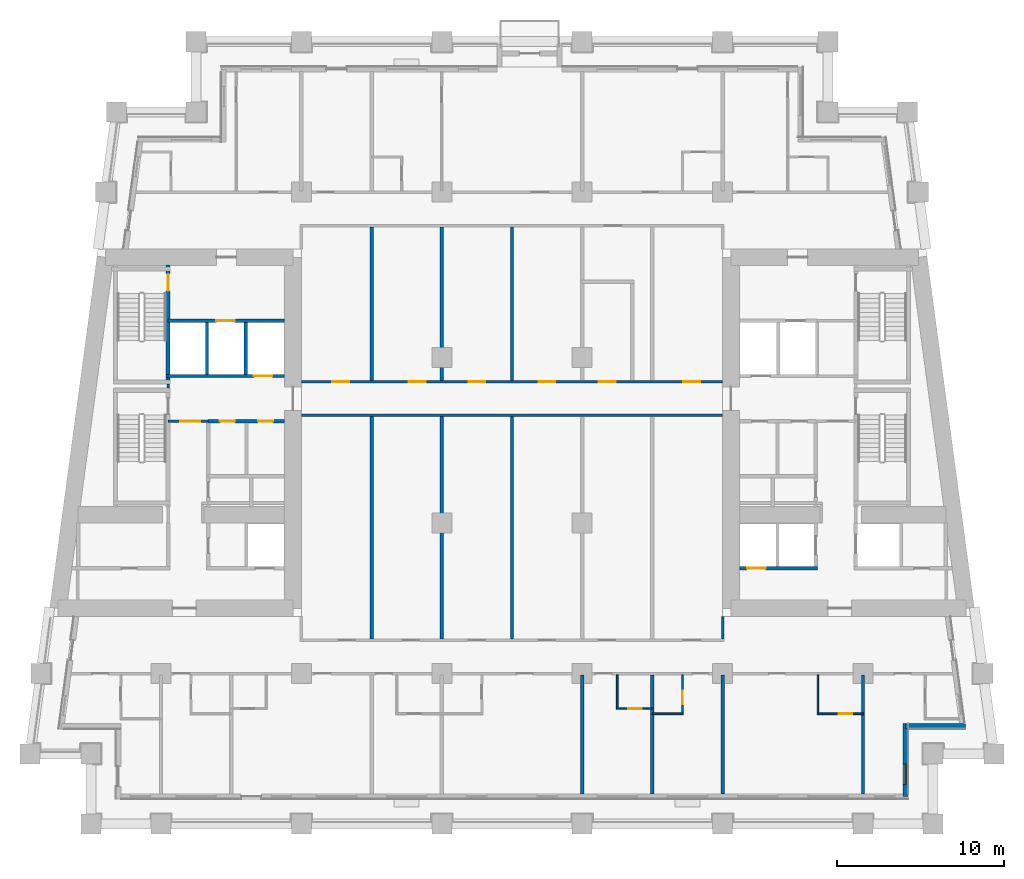
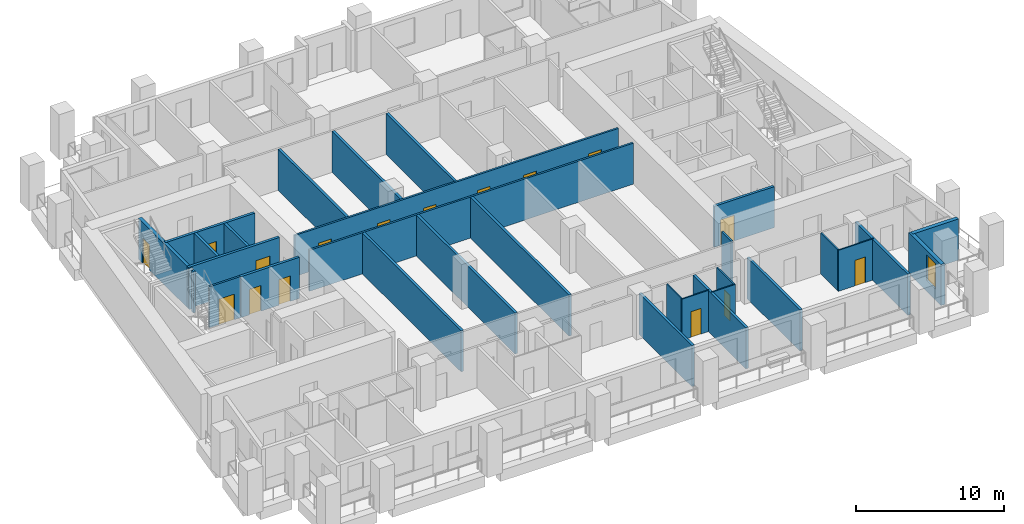
# One storey, part 4 of 13: 30 walls, 16 doors, 1 window, 17 openings.
"""IFC4 building model written with IfcOpenShell, lengths in metres."""

from ifc_helpers import new_model, si_unit, direction, frame, frame_2d, origin, place, context, subcontext, project, spatial, rectangle, extrude, material, layer, layer_set, type_object, element, fill, save


model = new_model("IFC4")

# Units and contexts
model_context = context("Model", 3, precision=1e-05, world=origin(), true_north=direction((0.0, 1.0)))
body_context = subcontext(model_context, "Body", "Model", "MODEL_VIEW")
ifc_project = project(units=[si_unit("LENGTHUNIT", "METRE"), si_unit("AREAUNIT", "SQUARE_METRE"), si_unit("VOLUMEUNIT", "CUBIC_METRE"), si_unit("PLANEANGLEUNIT", "RADIAN"), si_unit("MASSUNIT", "GRAM", prefix="KILO")], contexts=[model_context])

# Site, building, storey
site_placement = place(None, origin())
site = spatial("IfcSite", under=ifc_project, at=site_placement, CompositionType="ELEMENT")
building_placement = place(site_placement, origin())
building = spatial("IfcBuilding", under=site, at=building_placement, Name="Candeia Pilgrim Tower and Theatre", CompositionType="ELEMENT")
storey_placement = place(building_placement, frame((0.0, 0.0, 102.10009765625)))
storey = spatial("IfcBuildingStorey", under=building, at=storey_placement, Name="L23", CompositionType="ELEMENT", Elevation=102.10009765625)

# Wall, opening, window
ifc_material_1 = material(Name="Ceramic block masonry", Category="masonry")
ifc_layer_1 = layer(ifc_material_1, 0.300048828125)
ifc_layer_set_1 = layer_set([ifc_layer_1], Name="EW1 glazing-line wall 300")
wall_type_1 = type_object("IfcWallType", Name="EW1 glazing-line wall 300", PredefinedType="SOLIDWALL", material=ifc_layer_set_1)
wall_1_placement = place(storey_placement, frame((136.949951171875, 99.64990234375, 0.0), z_axis=(0.0, 0.0, 1.0), x_axis=(0.0, 1.0, 0.0)))
wall_1 = element("IfcWall", 1, at=wall_1_placement, inside=storey, type_object=wall_type_1, Name="External wall L23-1.0", PredefinedType="SOLIDWALL", context=body_context, shape_type="SweptSolid", body=[
    extrude(rectangle(XDim=4.35009765625, YDim=0.300048828125, at=frame_2d((2.175048828125, 0.0))), origin(), (0.0, 0.0, 1.0), 3.3798828125),
])
opening_1_placement = place(wall_1_placement, frame((0.72509765625, 0.0, 0.89990234375)))
opening_1 = element("IfcOpeningElement", 2, at=opening_1_placement, cuts=wall_1, Name="Opening W-B", PredefinedType="OPENING", context=body_context, shape_type="SweptSolid", body=[
    extrude(rectangle(XDim=1.199951171875, YDim=2.10009765625, at=frame_2d((0.60009765625, 1.050048828125))), frame((0.0, 0.16015625, 0.0), z_axis=(0.0, -1.0, 0.0), x_axis=(1.0, 0.0, 0.0)), (0.0, 0.0, 1.0), 0.320068359375),
])
ifc_material_2 = material(Name="Aluminium framed double glazing", Category="aluminium")
window_type = type_object("IfcWindowType", Name="W-B window 1200x2100", PartitioningType="SINGLE_PANEL", PredefinedType="WINDOW", material=ifc_material_2)
window_placement = place(opening_1_placement, origin())
window = element("IfcWindow", 3, at=window_placement, inside=storey, type_object=window_type, Name="Window W-B L23", OverallHeight=2.10009765625, OverallWidth=1.199951171875, PartitioningType="SINGLE_PANEL", PredefinedType="WINDOW", context=body_context, shape_type="SweptSolid", body=[
    extrude(rectangle(XDim=1.199951171875, YDim=2.10009765625, at=frame_2d((0.60009765625, 1.050048828125))), frame((0.0, 0.030029296875, 0.0), z_axis=(0.0, -1.0, 0.0), x_axis=(1.0, 0.0, 0.0)), (0.0, 0.0, 1.0), 0.06005859375),
])
fill(opening_1, window)

# Walls
wall_2_placement = place(storey_placement, frame((136.949951171875, 103.85009765625, 0.0), z_axis=(0.0, 0.0, 1.0), x_axis=(1.0, 0.0, 0.0)))
element("IfcWall", 4, at=wall_2_placement, inside=storey, type_object=wall_type_1, Name="External wall L23-2.0", PredefinedType="SOLIDWALL", context=body_context, shape_type="SweptSolid", body=[
    extrude(rectangle(XDim=3.569091796875, YDim=0.300048828125, at=frame_2d((1.78466796875, 0.0))), origin(), (0.0, 0.0, 1.0), 3.3798828125),
])
ifc_material_3 = material(Name="Gypsum board partition on steel studs", Category="steel")
ifc_layer_2 = layer(ifc_material_3, 0.10009765625)
ifc_layer_set_2 = layer_set([ifc_layer_2], Name="PW-100 room partition")
wall_type_2 = type_object("IfcWallType", Name="PW-100 room partition", PredefinedType="PARTITIONING", material=ifc_layer_set_2)
wall_3_placement = place(storey_placement, frame((121.800048828125, 104.60009765625, 0.0), z_axis=(0.0, 0.0, 1.0), x_axis=(1.0, 0.0, 0.0)))
element("IfcWall", 5, at=wall_3_placement, inside=storey, type_object=wall_type_2, Name="Room partition L23-005", PredefinedType="PARTITIONING", context=body_context, shape_type="SweptSolid", body=[
    extrude(rectangle(XDim=1.849853515625, YDim=0.10009765625, at=frame_2d((0.9248046875, 0.0))), origin(), (0.0, 0.0, 1.0), 3.3798828125),
])

# Wall, opening, door
wall_4_placement = place(storey_placement, frame((131.64990234375, 104.60009765625, 0.0), z_axis=(0.0, 0.0, 1.0), x_axis=(1.0, 0.0, 0.0)))
wall_4 = element("IfcWall", 6, at=wall_4_placement, inside=storey, type_object=wall_type_2, Name="Room partition L23-006", PredefinedType="PARTITIONING", context=body_context, shape_type="SweptSolid", body=[
    extrude(rectangle(XDim=2.75, YDim=0.10009765625, at=frame_2d((1.375, 0.0))), origin(), (0.0, 0.0, 1.0), 3.3798828125),
])
opening_2_placement = place(wall_4_placement, frame((1.300048828125, 0.0, 0.0)))
opening_2 = element("IfcOpeningElement", 7, at=opening_2_placement, cuts=wall_4, Name="Opening L23-D031", PredefinedType="OPENING", context=body_context, shape_type="SweptSolid", body=[
    extrude(rectangle(XDim=0.800048828125, YDim=2.10009765625, at=frame_2d((0.39990234375, 1.050048828125))), frame((0.0, 0.06005859375, 0.0), z_axis=(0.0, -1.0, 0.0), x_axis=(1.0, 0.0, 0.0)), (0.0, 0.0, 1.0), 0.1201171875),
])
ifc_material_4 = material(Name="Timber door leaf", Category="wood")
door_type_1 = type_object("IfcDoorType", Name="D-800", OperationType="NOTDEFINED", PredefinedType="DOOR", material=ifc_material_4)
door_1_placement = place(opening_2_placement, origin())
door_1 = element("IfcDoor", 8, at=door_1_placement, inside=storey, type_object=door_type_1, Name="Door L23-D031", OperationType="SINGLE_SWING_RIGHT", OverallHeight=2.10009765625, OverallWidth=0.800048828125, PredefinedType="DOOR", context=body_context, shape_type="SweptSolid", body=[
    extrude(rectangle(XDim=0.800048828125, YDim=2.10009765625, at=frame_2d((0.39990234375, 1.050048828125))), frame((0.0, 0.02490234375, 0.0), z_axis=(0.0, -1.0, 0.0), x_axis=(1.0, 0.0, 0.0)), (0.0, 0.0, 1.0), 0.050048828125),
])
fill(opening_2, door_1)

wall_5_placement = place(storey_placement, frame((119.64990234375, 104.89990234375, 0.0), z_axis=(0.0, 0.0, 1.0), x_axis=(1.0, 0.0, 0.0)))
wall_5 = element("IfcWall", 9, at=wall_5_placement, inside=storey, type_object=wall_type_2, Name="Room partition L23-008", PredefinedType="PARTITIONING", context=body_context, shape_type="SweptSolid", body=[
    extrude(rectangle(XDim=2.150146484375, YDim=0.10009765625, at=frame_2d((1.0751953125, 0.0))), origin(), (0.0, 0.0, 1.0), 3.3798828125),
])
opening_3_placement = place(wall_5_placement, frame((0.699951171875, 0.0, 0.0)))
opening_3 = element("IfcOpeningElement", 10, at=opening_3_placement, cuts=wall_5, Name="Opening L23-D027", PredefinedType="OPENING", context=body_context, shape_type="SweptSolid", body=[
    extrude(rectangle(XDim=0.800048828125, YDim=2.10009765625, at=frame_2d((0.39990234375, 1.050048828125))), frame((0.0, 0.06005859375, 0.0), z_axis=(0.0, -1.0, 0.0), x_axis=(1.0, 0.0, 0.0)), (0.0, 0.0, 1.0), 0.1201171875),
])
door_2_placement = place(opening_3_placement, origin())
door_2 = element("IfcDoor", 11, at=door_2_placement, inside=storey, type_object=door_type_1, Name="Door L23-D027", OperationType="SINGLE_SWING_RIGHT", OverallHeight=2.10009765625, OverallWidth=0.800048828125, PredefinedType="DOOR", context=body_context, shape_type="SweptSolid", body=[
    extrude(rectangle(XDim=0.800048828125, YDim=2.10009765625, at=frame_2d((0.39990234375, 1.050048828125))), frame((0.0, 0.02490234375, 0.0), z_axis=(0.0, -1.0, 0.0), x_axis=(1.0, 0.0, 0.0)), (0.0, 0.0, 1.0), 0.050048828125),
])
fill(opening_3, door_2)

# Wall
wall_6_placement = place(storey_placement, frame((119.699951171875, 104.949951171875, 0.0), z_axis=(0.0, 0.0, 1.0), x_axis=(0.0, 1.0, 0.0)))
element("IfcWall", 12, at=wall_6_placement, inside=storey, type_object=wall_type_2, Name="Room partition L23-092", PredefinedType="PARTITIONING", context=body_context, shape_type="SweptSolid", body=[
    extrude(rectangle(XDim=1.97509765625, YDim=0.10009765625, at=frame_2d((0.987548828125, 0.0))), origin(), (0.0, 0.0, 1.0), 3.3798828125),
])

# Wall, opening, door
wall_7_placement = place(storey_placement, frame((123.60009765625, 104.64990234375, 0.0), z_axis=(0.0, 0.0, 1.0), x_axis=(0.0, 1.0, 0.0)))
wall_7 = element("IfcWall", 13, at=wall_7_placement, inside=storey, type_object=wall_type_2, Name="Room partition L23-097", PredefinedType="PARTITIONING", context=body_context, shape_type="SweptSolid", body=[
    extrude(rectangle(XDim=2.275146484375, YDim=0.10009765625, at=frame_2d((1.1376953125, 0.0))), origin(), (0.0, 0.0, 1.0), 3.3798828125),
])
opening_4_placement = place(wall_7_placement, frame((0.52490234375, 0.0, 0.0)))
opening_4 = element("IfcOpeningElement", 14, at=opening_4_placement, cuts=wall_7, Name="Opening L23-D029", PredefinedType="OPENING", context=body_context, shape_type="SweptSolid", body=[
    extrude(rectangle(XDim=0.800048828125, YDim=2.10009765625, at=frame_2d((0.39990234375, 1.050048828125))), frame((0.0, 0.06005859375, 0.0), z_axis=(0.0, -1.0, 0.0), x_axis=(1.0, 0.0, 0.0)), (0.0, 0.0, 1.0), 0.1201171875),
])
door_3_placement = place(opening_4_placement, origin())
door_3 = element("IfcDoor", 15, at=door_3_placement, inside=storey, type_object=door_type_1, Name="Door L23-D029", OperationType="SINGLE_SWING_RIGHT", OverallHeight=2.10009765625, OverallWidth=0.800048828125, PredefinedType="DOOR", context=body_context, shape_type="SweptSolid", body=[
    extrude(rectangle(XDim=0.800048828125, YDim=2.10009765625, at=frame_2d((0.39990234375, 1.050048828125))), frame((0.0, 0.02490234375, 0.0), z_axis=(0.0, -1.0, 0.0), x_axis=(1.0, 0.0, 0.0)), (0.0, 0.0, 1.0), 0.050048828125),
])
fill(opening_4, door_3)

# Wall
wall_8_placement = place(storey_placement, frame((131.699951171875, 104.64990234375, 0.0), z_axis=(0.0, 0.0, 1.0), x_axis=(0.0, 1.0, 0.0)))
element("IfcWall", 16, at=wall_8_placement, inside=storey, type_object=wall_type_2, Name="Room partition L23-111", PredefinedType="PARTITIONING", context=body_context, shape_type="SweptSolid", body=[
    extrude(rectangle(XDim=2.275146484375, YDim=0.10009765625, at=frame_2d((1.1376953125, 0.0))), origin(), (0.0, 0.0, 1.0), 3.3798828125),
])

# Wall, opening, door
ifc_layer_3 = layer(ifc_material_3, 0.14990234375)
ifc_layer_set_3 = layer_set([ifc_layer_3], Name="PW-150 lobby wall")
wall_type_3 = type_object("IfcWallType", Name="PW-150 lobby wall", PredefinedType="PARTITIONING", material=ifc_layer_set_3)
wall_9_placement = place(storey_placement, frame((92.826904296875, 122.10009765625, 0.0), z_axis=(0.0, 0.0, 1.0), x_axis=(1.0, 0.0, 0.0)))
wall_9 = element("IfcWall", 17, at=wall_9_placement, inside=storey, type_object=wall_type_3, Name="Lobby wall L23-025", PredefinedType="PARTITIONING", context=body_context, shape_type="SweptSolid", body=[
    extrude(rectangle(XDim=2.400146484375, YDim=0.14990234375, at=frame_2d((1.2001953125, 0.0))), origin(), (0.0, 0.0, 1.0), 3.3798828125),
])
opening_5_placement = place(wall_9_placement, frame((0.72509765625, 0.0, 0.0)))
opening_5 = element("IfcOpeningElement", 18, at=opening_5_placement, cuts=wall_9, Name="Opening L23-D001", PredefinedType="OPENING", context=body_context, shape_type="SweptSolid", body=[
    extrude(rectangle(XDim=1.199951171875, YDim=2.10009765625, at=frame_2d((0.60009765625, 1.050048828125))), frame((0.0, 0.0849609375, 0.0), z_axis=(0.0, -1.0, 0.0), x_axis=(1.0, 0.0, 0.0)), (0.0, 0.0, 1.0), 0.169921875),
])
ifc_material_5 = material(Name="Steel fire door set", Category="steel")
door_type_2 = type_object("IfcDoorType", Name="D-1200-FD60", OperationType="NOTDEFINED", PredefinedType="DOOR", material=ifc_material_5)
door_4_placement = place(opening_5_placement, origin())
door_4 = element("IfcDoor", 19, at=door_4_placement, inside=storey, type_object=door_type_2, Name="Door L23-D001", OperationType="SINGLE_SWING_RIGHT", OverallHeight=2.10009765625, OverallWidth=1.199951171875, PredefinedType="DOOR", context=body_context, shape_type="SweptSolid", body=[
    extrude(rectangle(XDim=1.199951171875, YDim=2.10009765625, at=frame_2d((0.60009765625, 1.050048828125))), frame((0.0, 0.02490234375, 0.0), z_axis=(0.0, -1.0, 0.0), x_axis=(1.0, 0.0, 0.0)), (0.0, 0.0, 1.0), 0.050048828125),
])
fill(opening_5, door_4)

# Walls
wall_10_placement = place(storey_placement, frame((92.826904296875, 124.074951171875, 0.0), z_axis=(0.0, 0.0, 1.0), x_axis=(0.0, 1.0, 0.0)))
element("IfcWall", 20, at=wall_10_placement, inside=storey, type_object=wall_type_3, Name="Lobby wall L23-056", PredefinedType="PARTITIONING", context=body_context, shape_type="SweptSolid", body=[
    extrude(rectangle(XDim=0.25, YDim=0.14990234375, at=frame_2d((0.125, 0.0))), origin(), (0.0, 0.0, 1.0), 3.3798828125),
])
ifc_layer_4 = layer(ifc_material_3, 0.14990234375)
ifc_layer_set_4 = layer_set([ifc_layer_4], Name="PW-150 unit wall")
wall_type_4 = type_object("IfcWallType", Name="PW-150 unit wall", PredefinedType="PARTITIONING", material=ifc_layer_set_4)
wall_11_placement = place(storey_placement, frame((100.800048828125, 122.449951171875, 0.0), z_axis=(0.0, 0.0, 1.0), x_axis=(1.0, 0.0, 0.0)))
element("IfcWall", 21, at=wall_11_placement, inside=storey, type_object=wall_type_4, Name="Unit wall L23-027", PredefinedType="PARTITIONING", context=body_context, shape_type="SweptSolid", body=[
    extrude(rectangle(XDim=25.199951171875, YDim=0.14990234375, at=frame_2d((12.60009765625, 0.0))), origin(), (0.0, 0.0, 1.0), 3.3798828125),
])

# Wall, openings, doors
wall_12_placement = place(storey_placement, frame((100.800048828125, 124.449951171875, 0.0), z_axis=(0.0, 0.0, 1.0), x_axis=(1.0, 0.0, 0.0)))
wall_12 = element("IfcWall", 22, at=wall_12_placement, inside=storey, type_object=wall_type_4, Name="Unit wall L23-032", PredefinedType="PARTITIONING", context=body_context, shape_type="SweptSolid", body=[
    extrude(rectangle(XDim=25.199951171875, YDim=0.14990234375, at=frame_2d((12.60009765625, 0.0))), origin(), (0.0, 0.0, 1.0), 3.3798828125),
])
opening_6_placement = place(wall_12_placement, frame((1.85009765625, 0.0, 0.0)))
opening_6 = element("IfcOpeningElement", 23, at=opening_6_placement, cuts=wall_12, Name="Opening L23-D053", PredefinedType="OPENING", context=body_context, shape_type="SweptSolid", body=[
    extrude(rectangle(XDim=1.0, YDim=2.10009765625, at=frame_2d((0.5, 1.050048828125))), frame((0.0, 0.0849609375, 0.0), z_axis=(0.0, -1.0, 0.0), x_axis=(1.0, 0.0, 0.0)), (0.0, 0.0, 1.0), 0.169921875),
])
opening_7_placement = place(wall_12_placement, frame((6.425048828125, 0.0, 0.0)))
opening_7 = element("IfcOpeningElement", 24, at=opening_7_placement, cuts=wall_12, Name="Opening L23-D054", PredefinedType="OPENING", context=body_context, shape_type="SweptSolid", body=[
    extrude(rectangle(XDim=1.0, YDim=2.10009765625, at=frame_2d((0.5, 1.050048828125))), frame((0.0, 0.0849609375, 0.0), z_axis=(0.0, -1.0, 0.0), x_axis=(1.0, 0.0, 0.0)), (0.0, 0.0, 1.0), 0.169921875),
])
opening_8_placement = place(wall_12_placement, frame((10.0, 0.0, 0.0)))
opening_8 = element("IfcOpeningElement", 25, at=opening_8_placement, cuts=wall_12, Name="Opening L23-D055", PredefinedType="OPENING", context=body_context, shape_type="SweptSolid", body=[
    extrude(rectangle(XDim=1.0, YDim=2.10009765625, at=frame_2d((0.5, 1.050048828125))), frame((0.0, 0.0849609375, 0.0), z_axis=(0.0, -1.0, 0.0), x_axis=(1.0, 0.0, 0.0)), (0.0, 0.0, 1.0), 0.169921875),
])
opening_9_placement = place(wall_12_placement, frame((14.199951171875, 0.0, 0.0)))
opening_9 = element("IfcOpeningElement", 26, at=opening_9_placement, cuts=wall_12, Name="Opening L23-D056", PredefinedType="OPENING", context=body_context, shape_type="SweptSolid", body=[
    extrude(rectangle(XDim=1.0, YDim=2.10009765625, at=frame_2d((0.5, 1.050048828125))), frame((0.0, 0.0849609375, 0.0), z_axis=(0.0, -1.0, 0.0), x_axis=(1.0, 0.0, 0.0)), (0.0, 0.0, 1.0), 0.169921875),
])
opening_10_placement = place(wall_12_placement, frame((17.800048828125, 0.0, 0.0)))
opening_10 = element("IfcOpeningElement", 27, at=opening_10_placement, cuts=wall_12, Name="Opening L23-D057", PredefinedType="OPENING", context=body_context, shape_type="SweptSolid", body=[
    extrude(rectangle(XDim=1.0, YDim=2.10009765625, at=frame_2d((0.5, 1.050048828125))), frame((0.0, 0.0849609375, 0.0), z_axis=(0.0, -1.0, 0.0), x_axis=(1.0, 0.0, 0.0)), (0.0, 0.0, 1.0), 0.169921875),
])
opening_11_placement = place(wall_12_placement, frame((22.85009765625, 0.0, 0.0)))
opening_11 = element("IfcOpeningElement", 28, at=opening_11_placement, cuts=wall_12, Name="Opening L23-D058", PredefinedType="OPENING", context=body_context, shape_type="SweptSolid", body=[
    extrude(rectangle(XDim=1.0, YDim=2.10009765625, at=frame_2d((0.5, 1.050048828125))), frame((0.0, 0.0849609375, 0.0), z_axis=(0.0, -1.0, 0.0), x_axis=(1.0, 0.0, 0.0)), (0.0, 0.0, 1.0), 0.169921875),
])
door_type_3 = type_object("IfcDoorType", Name="D-1000-FD30S", OperationType="NOTDEFINED", PredefinedType="DOOR", material=ifc_material_5)
door_5_placement = place(opening_6_placement, origin())
door_5 = element("IfcDoor", 29, at=door_5_placement, inside=storey, type_object=door_type_3, Name="Door L23-D053", OperationType="SINGLE_SWING_RIGHT", OverallHeight=2.10009765625, OverallWidth=1.0, PredefinedType="DOOR", context=body_context, shape_type="SweptSolid", body=[
    extrude(rectangle(XDim=1.0, YDim=2.10009765625, at=frame_2d((0.5, 1.050048828125))), frame((0.0, 0.02490234375, 0.0), z_axis=(0.0, -1.0, 0.0), x_axis=(1.0, 0.0, 0.0)), (0.0, 0.0, 1.0), 0.050048828125),
])
fill(opening_6, door_5)
door_6_placement = place(opening_7_placement, origin())
door_6 = element("IfcDoor", 30, at=door_6_placement, inside=storey, type_object=door_type_3, Name="Door L23-D054", OperationType="SINGLE_SWING_LEFT", OverallHeight=2.10009765625, OverallWidth=1.0, PredefinedType="DOOR", context=body_context, shape_type="SweptSolid", body=[
    extrude(rectangle(XDim=1.0, YDim=2.10009765625, at=frame_2d((0.5, 1.050048828125))), frame((0.0, 0.02490234375, 0.0), z_axis=(0.0, -1.0, 0.0), x_axis=(1.0, 0.0, 0.0)), (0.0, 0.0, 1.0), 0.050048828125),
])
fill(opening_7, door_6)
door_7_placement = place(opening_8_placement, origin())
door_7 = element("IfcDoor", 31, at=door_7_placement, inside=storey, type_object=door_type_3, Name="Door L23-D055", OperationType="SINGLE_SWING_RIGHT", OverallHeight=2.10009765625, OverallWidth=1.0, PredefinedType="DOOR", context=body_context, shape_type="SweptSolid", body=[
    extrude(rectangle(XDim=1.0, YDim=2.10009765625, at=frame_2d((0.5, 1.050048828125))), frame((0.0, 0.02490234375, 0.0), z_axis=(0.0, -1.0, 0.0), x_axis=(1.0, 0.0, 0.0)), (0.0, 0.0, 1.0), 0.050048828125),
])
fill(opening_8, door_7)
door_8_placement = place(opening_9_placement, origin())
door_8 = element("IfcDoor", 32, at=door_8_placement, inside=storey, type_object=door_type_3, Name="Door L23-D056", OperationType="SINGLE_SWING_LEFT", OverallHeight=2.10009765625, OverallWidth=1.0, PredefinedType="DOOR", context=body_context, shape_type="SweptSolid", body=[
    extrude(rectangle(XDim=1.0, YDim=2.10009765625, at=frame_2d((0.5, 1.050048828125))), frame((0.0, 0.02490234375, 0.0), z_axis=(0.0, -1.0, 0.0), x_axis=(1.0, 0.0, 0.0)), (0.0, 0.0, 1.0), 0.050048828125),
])
fill(opening_9, door_8)
door_9_placement = place(opening_10_placement, origin())
door_9 = element("IfcDoor", 33, at=door_9_placement, inside=storey, type_object=door_type_3, Name="Door L23-D057", OperationType="SINGLE_SWING_RIGHT", OverallHeight=2.10009765625, OverallWidth=1.0, PredefinedType="DOOR", context=body_context, shape_type="SweptSolid", body=[
    extrude(rectangle(XDim=1.0, YDim=2.10009765625, at=frame_2d((0.5, 1.050048828125))), frame((0.0, 0.02490234375, 0.0), z_axis=(0.0, -1.0, 0.0), x_axis=(1.0, 0.0, 0.0)), (0.0, 0.0, 1.0), 0.050048828125),
])
fill(opening_10, door_9)
door_10_placement = place(opening_11_placement, origin())
door_10 = element("IfcDoor", 34, at=door_10_placement, inside=storey, type_object=door_type_3, Name="Door L23-D058", OperationType="SINGLE_SWING_LEFT", OverallHeight=2.10009765625, OverallWidth=1.0, PredefinedType="DOOR", context=body_context, shape_type="SweptSolid", body=[
    extrude(rectangle(XDim=1.0, YDim=2.10009765625, at=frame_2d((0.5, 1.050048828125))), frame((0.0, 0.02490234375, 0.0), z_axis=(0.0, -1.0, 0.0), x_axis=(1.0, 0.0, 0.0)), (0.0, 0.0, 1.0), 0.050048828125),
])
fill(opening_11, door_10)

# Walls
wall_13_placement = place(storey_placement, frame((126.0, 109.074951171875, 0.0), z_axis=(0.0, 0.0, 1.0), x_axis=(0.0, 1.0, 0.0)))
element("IfcWall", 35, at=wall_13_placement, inside=storey, type_object=wall_type_4, Name="Unit wall L23-101", PredefinedType="PARTITIONING", context=body_context, shape_type="SweptSolid", body=[
    extrude(rectangle(XDim=1.324951171875, YDim=0.14990234375, at=frame_2d((0.66259765625, 0.0))), origin(), (0.0, 0.0, 1.0), 3.3798828125),
])
ifc_layer_5 = layer(ifc_material_3, 0.199951171875)
ifc_layer_set_5 = layer_set([ifc_layer_5], Name="PW-200 party wall")
wall_type_5 = type_object("IfcWallType", Name="PW-200 party wall", PredefinedType="PARTITIONING", material=ifc_layer_set_5)
wall_14_placement = place(storey_placement, frame((105.0, 109.074951171875, 0.0), z_axis=(0.0, 0.0, 1.0), x_axis=(0.0, 1.0, 0.0)))
element("IfcWall", 36, at=wall_14_placement, inside=storey, type_object=wall_type_5, Name="Party wall L23-076", PredefinedType="PARTITIONING", context=body_context, shape_type="SweptSolid", body=[
    extrude(rectangle(XDim=13.300048828125, YDim=0.199951171875, at=frame_2d((6.64990234375, 0.0))), origin(), (0.0, 0.0, 1.0), 3.3798828125),
])
wall_15_placement = place(storey_placement, frame((105.0, 124.52490234375, 0.0), z_axis=(0.0, 0.0, 1.0), x_axis=(0.0, 1.0, 0.0)))
element("IfcWall", 37, at=wall_15_placement, inside=storey, type_object=wall_type_5, Name="Party wall L23-077", PredefinedType="PARTITIONING", context=body_context, shape_type="SweptSolid", body=[
    extrude(rectangle(XDim=9.2001953125, YDim=0.199951171875, at=frame_2d((4.60009765625, 0.0))), origin(), (0.0, 0.0, 1.0), 3.3798828125),
])
wall_16_placement = place(storey_placement, frame((109.199951171875, 109.074951171875, 0.0), z_axis=(0.0, 0.0, 1.0), x_axis=(0.0, 1.0, 0.0)))
element("IfcWall", 38, at=wall_16_placement, inside=storey, type_object=wall_type_5, Name="Party wall L23-083", PredefinedType="PARTITIONING", context=body_context, shape_type="SweptSolid", body=[
    extrude(rectangle(XDim=13.300048828125, YDim=0.199951171875, at=frame_2d((6.64990234375, 0.0))), origin(), (0.0, 0.0, 1.0), 3.3798828125),
])
wall_17_placement = place(storey_placement, frame((109.199951171875, 124.52490234375, 0.0), z_axis=(0.0, 0.0, 1.0), x_axis=(0.0, 1.0, 0.0)))
element("IfcWall", 39, at=wall_17_placement, inside=storey, type_object=wall_type_5, Name="Party wall L23-084", PredefinedType="PARTITIONING", context=body_context, shape_type="SweptSolid", body=[
    extrude(rectangle(XDim=9.2001953125, YDim=0.199951171875, at=frame_2d((4.60009765625, 0.0))), origin(), (0.0, 0.0, 1.0), 3.3798828125),
])
wall_18_placement = place(storey_placement, frame((113.39990234375, 109.074951171875, 0.0), z_axis=(0.0, 0.0, 1.0), x_axis=(0.0, 1.0, 0.0)))
element("IfcWall", 40, at=wall_18_placement, inside=storey, type_object=wall_type_5, Name="Party wall L23-086", PredefinedType="PARTITIONING", context=body_context, shape_type="SweptSolid", body=[
    extrude(rectangle(XDim=13.300048828125, YDim=0.199951171875, at=frame_2d((6.64990234375, 0.0))), origin(), (0.0, 0.0, 1.0), 3.3798828125),
])
wall_19_placement = place(storey_placement, frame((113.39990234375, 124.52490234375, 0.0), z_axis=(0.0, 0.0, 1.0), x_axis=(0.0, 1.0, 0.0)))
element("IfcWall", 41, at=wall_19_placement, inside=storey, type_object=wall_type_5, Name="Party wall L23-087", PredefinedType="PARTITIONING", context=body_context, shape_type="SweptSolid", body=[
    extrude(rectangle(XDim=9.2001953125, YDim=0.199951171875, at=frame_2d((4.60009765625, 0.0))), origin(), (0.0, 0.0, 1.0), 3.3798828125),
])
for number, where, z_axis, x_axis, name in (
    (42, (117.60009765625, 99.7900390625, 0.0), (0.0, 0.0, 1.0), (0.0, 1.0, 0.0), "Party wall L23-088"),
    (43, (121.800048828125, 99.7900390625, 0.0), (0.0, 0.0, 1.0), (0.0, 1.0, 0.0), "Party wall L23-094"),
    (44, (126.0, 99.7900390625, 0.0), (0.0, 0.0, 1.0), (0.0, 1.0, 0.0), "Party wall L23-099"),
    (45, (134.39990234375, 99.7900390625, 0.0), (0.0, 0.0, 1.0), (0.0, 1.0, 0.0), "Party wall L23-119"),
):
    element("IfcWall", number, at=place(storey_placement, frame(where, z_axis=z_axis, x_axis=x_axis)), inside=storey, type_object=wall_type_5, Name=name, PredefinedType="PARTITIONING", context=body_context, shape_type="SweptSolid", body=[
        extrude(rectangle(XDim=7.135009765625, YDim=0.199951171875, at=frame_2d((3.5673828125, 0.0))), origin(), (0.0, 0.0, 1.0), 3.3798828125),
    ])

# Wall, opening, door
ifc_material_6 = material(Name="Concrete C40/50", Category="concrete")
ifc_layer_6 = layer(ifc_material_6, 0.199951171875)
ifc_layer_set_6 = layer_set([ifc_layer_6], Name="SW-200 shaft wall")
wall_type_6 = type_object("IfcWallType", Name="SW-200 shaft wall", PredefinedType="PARTITIONING", material=ifc_layer_set_6)
wall_20_placement = place(storey_placement, frame((127.0, 113.300048828125, 0.0), z_axis=(0.0, 0.0, 1.0), x_axis=(1.0, 0.0, 0.0)))
wall_20 = element("IfcWall", 46, at=wall_20_placement, inside=storey, type_object=wall_type_6, Name="Shaft wall L23-013", PredefinedType="PARTITIONING", context=body_context, shape_type="SweptSolid", body=[
    extrude(rectangle(XDim=4.673095703125, YDim=0.199951171875, at=frame_2d((2.33642578125, 0.0))), origin(), (0.0, 0.0, 1.0), 3.3798828125),
])
opening_12_placement = place(wall_20_placement, frame((0.471923828125, 0.0, 0.0)))
opening_12 = element("IfcOpeningElement", 47, at=opening_12_placement, cuts=wall_20, Name="Opening L23-LD08", PredefinedType="OPENING", context=body_context, shape_type="SweptSolid", body=[
    extrude(rectangle(XDim=1.10009765625, YDim=2.10009765625, at=frame_2d((0.550048828125, 1.050048828125))), frame((0.0, 0.10986328125, 0.0), z_axis=(0.0, -1.0, 0.0), x_axis=(1.0, 0.0, 0.0)), (0.0, 0.0, 1.0), 0.219970703125),
])
ifc_material_7 = material(Name="Glazed aluminium landing door", Category="aluminium")
door_type_4 = type_object("IfcDoorType", Name="LD-1100-EI120", OperationType="SLIDING_TO_LEFT", PredefinedType="DOOR", material=ifc_material_7)
door_11_placement = place(opening_12_placement, origin())
door_11 = element("IfcDoor", 48, at=door_11_placement, inside=storey, type_object=door_type_4, Name="Landing door 08 L23", OperationType="SLIDING_TO_LEFT", OverallHeight=2.10009765625, OverallWidth=1.10009765625, PredefinedType="DOOR", context=body_context, shape_type="SweptSolid", body=[
    extrude(rectangle(XDim=1.10009765625, YDim=2.10009765625, at=frame_2d((0.550048828125, 1.050048828125))), frame((0.0, 0.02490234375, 0.0), z_axis=(0.0, -1.0, 0.0), x_axis=(1.0, 0.0, 0.0)), (0.0, 0.0, 1.0), 0.050048828125),
])
fill(opening_12, door_11)

# Wall, openings, doors
wall_21_placement = place(storey_placement, frame((95.22705078125, 122.10009765625, 0.0), z_axis=(0.0, 0.0, 1.0), x_axis=(1.0, 0.0, 0.0)))
wall_21 = element("IfcWall", 49, at=wall_21_placement, inside=storey, type_object=wall_type_6, Name="Shaft wall L23-023", PredefinedType="PARTITIONING", context=body_context, shape_type="SweptSolid", body=[
    extrude(rectangle(XDim=4.572998046875, YDim=0.199951171875, at=frame_2d((2.28662109375, 0.0))), origin(), (0.0, 0.0, 1.0), 3.3798828125),
])
opening_13_placement = place(wall_21_placement, frame((0.693115234375, 0.0, 0.0)))
opening_13 = element("IfcOpeningElement", 50, at=opening_13_placement, cuts=wall_21, Name="Opening L23-D002", PredefinedType="OPENING", context=body_context, shape_type="SweptSolid", body=[
    extrude(rectangle(XDim=0.89990234375, YDim=2.10009765625, at=frame_2d((0.449951171875, 1.050048828125))), frame((0.0, 0.10986328125, 0.0), z_axis=(0.0, -1.0, 0.0), x_axis=(1.0, 0.0, 0.0)), (0.0, 0.0, 1.0), 0.219970703125),
])
opening_14_placement = place(wall_21_placement, frame((2.97998046875, 0.0, 0.0)))
opening_14 = element("IfcOpeningElement", 51, at=opening_14_placement, cuts=wall_21, Name="Opening L23-D003", PredefinedType="OPENING", context=body_context, shape_type="SweptSolid", body=[
    extrude(rectangle(XDim=0.89990234375, YDim=2.10009765625, at=frame_2d((0.449951171875, 1.050048828125))), frame((0.0, 0.10986328125, 0.0), z_axis=(0.0, -1.0, 0.0), x_axis=(1.0, 0.0, 0.0)), (0.0, 0.0, 1.0), 0.219970703125),
])
door_type_5 = type_object("IfcDoorType", Name="D-900-FD60", OperationType="NOTDEFINED", PredefinedType="DOOR", material=ifc_material_5)
door_12_placement = place(opening_13_placement, origin())
door_12 = element("IfcDoor", 52, at=door_12_placement, inside=storey, type_object=door_type_5, Name="Door L23-D002", OperationType="SINGLE_SWING_LEFT", OverallHeight=2.10009765625, OverallWidth=0.89990234375, PredefinedType="DOOR", context=body_context, shape_type="SweptSolid", body=[
    extrude(rectangle(XDim=0.89990234375, YDim=2.10009765625, at=frame_2d((0.449951171875, 1.050048828125))), frame((0.0, 0.02490234375, 0.0), z_axis=(0.0, -1.0, 0.0), x_axis=(1.0, 0.0, 0.0)), (0.0, 0.0, 1.0), 0.050048828125),
])
fill(opening_13, door_12)
door_13_placement = place(opening_14_placement, origin())
door_13 = element("IfcDoor", 53, at=door_13_placement, inside=storey, type_object=door_type_5, Name="Door L23-D003", OperationType="SINGLE_SWING_RIGHT", OverallHeight=2.10009765625, OverallWidth=0.89990234375, PredefinedType="DOOR", context=body_context, shape_type="SweptSolid", body=[
    extrude(rectangle(XDim=0.89990234375, YDim=2.10009765625, at=frame_2d((0.449951171875, 1.050048828125))), frame((0.0, 0.02490234375, 0.0), z_axis=(0.0, -1.0, 0.0), x_axis=(1.0, 0.0, 0.0)), (0.0, 0.0, 1.0), 0.050048828125),
])
fill(opening_14, door_13)

# Wall, opening, door
wall_22_placement = place(storey_placement, frame((92.701904296875, 124.800048828125, 0.0), z_axis=(0.0, 0.0, 1.0), x_axis=(1.0, 0.0, 0.0)))
wall_22 = element("IfcWall", 54, at=wall_22_placement, inside=storey, type_object=wall_type_6, Name="Shaft wall L23-033", PredefinedType="PARTITIONING", context=body_context, shape_type="SweptSolid", body=[
    extrude(rectangle(XDim=7.09814453125, YDim=0.199951171875, at=frame_2d((3.549072265625, 0.0))), origin(), (0.0, 0.0, 1.0), 3.3798828125),
])
opening_15_placement = place(wall_22_placement, frame((5.2548828125, 0.0, 0.0)))
opening_15 = element("IfcOpeningElement", 55, at=opening_15_placement, cuts=wall_22, Name="Opening L23-LD02", PredefinedType="OPENING", context=body_context, shape_type="SweptSolid", body=[
    extrude(rectangle(XDim=1.10009765625, YDim=2.10009765625, at=frame_2d((0.550048828125, 1.050048828125))), frame((0.0, 0.10986328125, 0.0), z_axis=(0.0, -1.0, 0.0), x_axis=(1.0, 0.0, 0.0)), (0.0, 0.0, 1.0), 0.219970703125),
])
door_14_placement = place(opening_15_placement, origin())
door_14 = element("IfcDoor", 56, at=door_14_placement, inside=storey, type_object=door_type_4, Name="Landing door 02 L23", OperationType="SLIDING_TO_LEFT", OverallHeight=2.10009765625, OverallWidth=1.10009765625, PredefinedType="DOOR", context=body_context, shape_type="SweptSolid", body=[
    extrude(rectangle(XDim=1.10009765625, YDim=2.10009765625, at=frame_2d((0.550048828125, 1.050048828125))), frame((0.0, 0.02490234375, 0.0), z_axis=(0.0, -1.0, 0.0), x_axis=(1.0, 0.0, 0.0)), (0.0, 0.0, 1.0), 0.050048828125),
])
fill(opening_15, door_14)

wall_23_placement = place(storey_placement, frame((92.826904296875, 128.10009765625, 0.0), z_axis=(0.0, 0.0, 1.0), x_axis=(1.0, 0.0, 0.0)))
wall_23 = element("IfcWall", 57, at=wall_23_placement, inside=storey, type_object=wall_type_6, Name="Shaft wall L23-036", PredefinedType="PARTITIONING", context=body_context, shape_type="SweptSolid", body=[
    extrude(rectangle(XDim=6.97314453125, YDim=0.199951171875, at=frame_2d((3.486572265625, 0.0))), origin(), (0.0, 0.0, 1.0), 3.3798828125),
])
opening_16_placement = place(wall_23_placement, frame((2.884033203125, 0.0, 0.0)))
opening_16 = element("IfcOpeningElement", 58, at=opening_16_placement, cuts=wall_23, Name="Opening L23-LD01", PredefinedType="OPENING", context=body_context, shape_type="SweptSolid", body=[
    extrude(rectangle(XDim=1.10009765625, YDim=2.10009765625, at=frame_2d((0.550048828125, 1.050048828125))), frame((0.0, 0.10986328125, 0.0), z_axis=(0.0, -1.0, 0.0), x_axis=(1.0, 0.0, 0.0)), (0.0, 0.0, 1.0), 0.219970703125),
])
door_15_placement = place(opening_16_placement, origin())
door_15 = element("IfcDoor", 59, at=door_15_placement, inside=storey, type_object=door_type_4, Name="Landing door 01 L23", OperationType="SLIDING_TO_LEFT", OverallHeight=2.10009765625, OverallWidth=1.10009765625, PredefinedType="DOOR", context=body_context, shape_type="SweptSolid", body=[
    extrude(rectangle(XDim=1.10009765625, YDim=2.10009765625, at=frame_2d((0.550048828125, 1.050048828125))), frame((0.0, 0.02490234375, 0.0), z_axis=(0.0, -1.0, 0.0), x_axis=(1.0, 0.0, 0.0)), (0.0, 0.0, 1.0), 0.050048828125),
])
fill(opening_16, door_15)

# Walls
for number, where, z_axis, x_axis, name in (
    (60, (95.1513671875, 124.89990234375, 0.0), (0.0, 0.0, 1.0), (0.0, 1.0, 0.0), "Shaft wall L23-062"),
    (61, (97.4755859375, 124.89990234375, 0.0), (0.0, 0.0, 1.0), (0.0, 1.0, 0.0), "Shaft wall L23-067"),
):
    element("IfcWall", number, at=place(storey_placement, frame(where, z_axis=z_axis, x_axis=x_axis)), inside=storey, type_object=wall_type_6, Name=name, PredefinedType="PARTITIONING", context=body_context, shape_type="SweptSolid", body=[
        extrude(rectangle(XDim=3.10009765625, YDim=0.199951171875, at=frame_2d((1.550048828125, 0.0))), origin(), (0.0, 0.0, 1.0), 3.3798828125),
    ])

# Wall, opening, door
ifc_layer_7 = layer(ifc_material_6, 0.25)
ifc_layer_set_7 = layer_set([ifc_layer_7], Name="SW-250 stair wall")
wall_type_7 = type_object("IfcWallType", Name="SW-250 stair wall", PredefinedType="PARTITIONING", material=ifc_layer_set_7)
wall_24_placement = place(storey_placement, frame((92.826904296875, 124.574951171875, 0.0), z_axis=(0.0, 0.0, 1.0), x_axis=(0.0, 1.0, 0.0)))
wall_24 = element("IfcWall", 62, at=wall_24_placement, inside=storey, type_object=wall_type_7, Name="Stair wall L23-058", PredefinedType="PARTITIONING", context=body_context, shape_type="SweptSolid", body=[
    extrude(rectangle(XDim=6.85498046875, YDim=0.25, at=frame_2d((3.427490234375, 0.0))), origin(), (0.0, 0.0, 1.0), 3.3798828125),
])
opening_17_placement = place(wall_24_placement, frame((5.324951171875, 0.0, 0.0)))
opening_17 = element("IfcOpeningElement", 63, at=opening_17_placement, cuts=wall_24, Name="Opening L23-D005", PredefinedType="OPENING", context=body_context, shape_type="SweptSolid", body=[
    extrude(rectangle(XDim=1.0, YDim=2.10009765625, at=frame_2d((0.5, 1.050048828125))), frame((0.0, 0.135009765625, 0.0), z_axis=(0.0, -1.0, 0.0), x_axis=(1.0, 0.0, 0.0)), (0.0, 0.0, 1.0), 0.27001953125),
])
door_type_6 = type_object("IfcDoorType", Name="D-1000-FD60", OperationType="NOTDEFINED", PredefinedType="DOOR", material=ifc_material_5)
door_16_placement = place(opening_17_placement, origin())
door_16 = element("IfcDoor", 64, at=door_16_placement, inside=storey, type_object=door_type_6, Name="Door L23-D005", OperationType="SINGLE_SWING_RIGHT", OverallHeight=2.10009765625, OverallWidth=1.0, PredefinedType="DOOR", context=body_context, shape_type="SweptSolid", body=[
    extrude(rectangle(XDim=1.0, YDim=2.10009765625, at=frame_2d((0.5, 1.050048828125))), frame((0.0, 0.02490234375, 0.0), z_axis=(0.0, -1.0, 0.0), x_axis=(1.0, 0.0, 0.0)), (0.0, 0.0, 1.0), 0.050048828125),
])
fill(opening_17, door_16)

save(model, "model.ifc")
